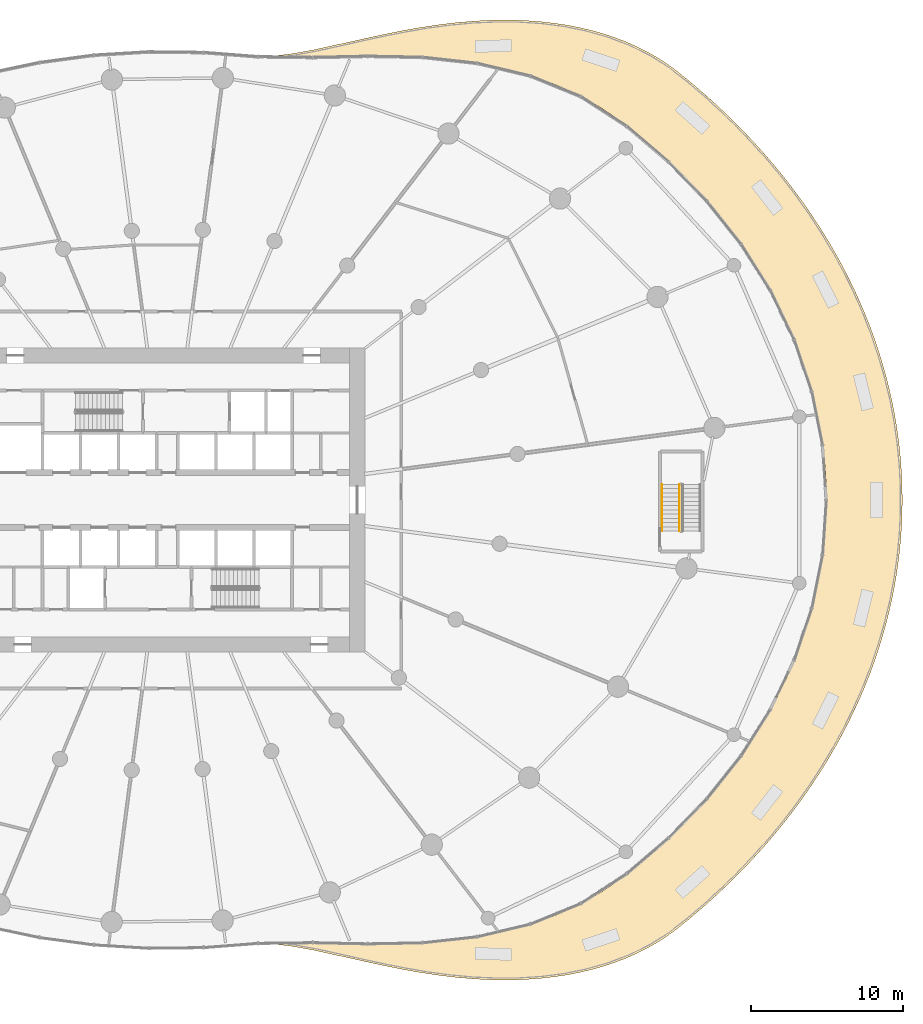
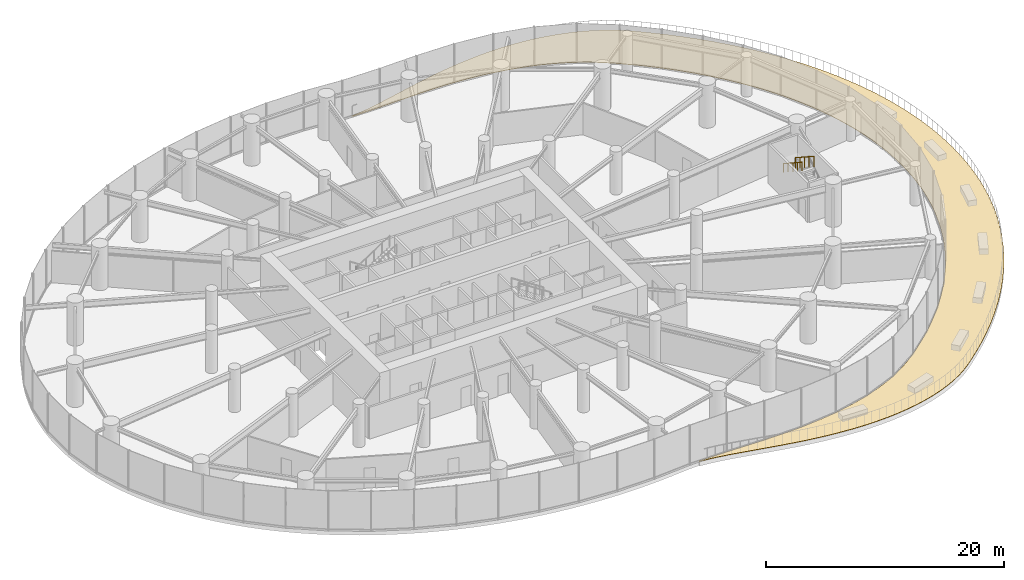
# One storey, part 17 of 19: 2 railings, 1 covering.
"""IFC4 building model written with IfcOpenShell, lengths in metres."""

from ifc_helpers import new_model, si_unit, direction, frame, origin, origin_2d, place, context, subcontext, project, spatial, line, indexed_curve, circle, outline, extrude, material, layer, layer_set, type_object, element, save


model = new_model("IFC4")

# Units and contexts
model_context = context("Model", 3, precision=1e-05, world=origin(), true_north=direction((0.0, 1.0)))
body_context = subcontext(model_context, "Body", "Model", "MODEL_VIEW")
ifc_project = project(units=[si_unit("LENGTHUNIT", "METRE"), si_unit("AREAUNIT", "SQUARE_METRE"), si_unit("VOLUMEUNIT", "CUBIC_METRE"), si_unit("PLANEANGLEUNIT", "RADIAN"), si_unit("MASSUNIT", "GRAM", prefix="KILO")], contexts=[model_context])

# Site, building, storey
site_placement = place(None, origin())
site = spatial("IfcSite", under=ifc_project, at=site_placement, CompositionType="ELEMENT")
building_placement = place(site_placement, origin())
building = spatial("IfcBuilding", under=site, at=building_placement, Name="Spindrift Exchange Tower", CompositionType="ELEMENT")
storey_placement = place(building_placement, frame((0.0, 0.0, 13.800048828125)))
storey = spatial("IfcBuildingStorey", under=building, at=storey_placement, Name="L03", CompositionType="ELEMENT", Elevation=13.800048828125)

# Railings
ifc_material_1 = material(Name="Steel balustrade", Category="steel")
railing_type_1 = type_object("IfcRailingType", Name="RL-STAIR-GUARD", PredefinedType="GUARDRAIL", material=ifc_material_1)
railing_1_placement = place(storey_placement, frame((85.699951171875, 49.030029296875, 2.38330078125)))
element("IfcRailing", 1, at=railing_1_placement, inside=storey, type_object=railing_type_1, Name="L03 ST5 stair guard 3", PredefinedType="GUARDRAIL", context=body_context, shape_type="SweptSolid", body=[
    extrude(circle(Radius=0.02392578125, at=origin_2d()), frame((0.0, 0.0, 1.076171875), z_axis=(0.0, -0.836633000464, 0.547763838287), x_axis=(1.0, 0.0, 0.0)), (0.0, 0.0, 1.0), 3.681396484375),
    extrude(circle(Radius=0.02099609375, at=origin_2d()), origin(), (0.0, 0.0, 1.0), 1.052001953125),
    extrude(circle(Radius=0.02099609375, at=origin_2d()), frame((0.0, -0.77001953125, 0.504150390625)), (0.0, 0.0, 1.0), 1.052001953125),
    extrude(circle(Radius=0.02099609375, at=origin_2d()), frame((0.0, -1.5400390625, 1.00830078125)), (0.0, 0.0, 1.0), 1.052001953125),
    extrude(circle(Radius=0.02099609375, at=origin_2d()), frame((0.0, -2.31005859375, 1.512451171875)), (0.0, 0.0, 1.0), 1.052001953125),
    extrude(circle(Radius=0.02099609375, at=origin_2d()), frame((0.0, -3.080078125, 2.0166015625)), (0.0, 0.0, 1.0), 1.052001953125),
])
ifc_material_2 = material(Name="Steel tubular handrail", Category="steel")
railing_type_2 = type_object("IfcRailingType", Name="RL-STAIR-HAND", PredefinedType="HANDRAIL", material=ifc_material_2)
railing_2_placement = place(storey_placement, frame((84.550048828125, 49.030029296875, 2.38330078125)))
element("IfcRailing", 2, at=railing_2_placement, inside=storey, type_object=railing_type_2, Name="L03 ST5 stair handrail 2", PredefinedType="HANDRAIL", context=body_context, shape_type="SweptSolid", body=[
    extrude(circle(Radius=0.02392578125, at=origin_2d()), frame((0.0, 0.0, 0.8759765625), z_axis=(0.0, -0.836633000464, 0.547763838287), x_axis=(1.0, 0.0, 0.0)), (0.0, 0.0, 1.0), 3.681396484375),
    extrude(circle(Radius=0.02099609375, at=origin_2d()), origin(), (0.0, 0.0, 1.0), 0.851806640625),
    extrude(circle(Radius=0.02099609375, at=origin_2d()), frame((0.0, -0.77001953125, 0.504150390625)), (0.0, 0.0, 1.0), 0.851806640625),
    extrude(circle(Radius=0.02099609375, at=origin_2d()), frame((0.0, -1.5400390625, 1.00830078125)), (0.0, 0.0, 1.0), 0.851806640625),
    extrude(circle(Radius=0.02099609375, at=origin_2d()), frame((0.0, -2.31005859375, 1.512451171875)), (0.0, 0.0, 1.0), 0.851806640625),
    extrude(circle(Radius=0.02099609375, at=origin_2d()), frame((0.0, -3.080078125, 2.0166015625)), (0.0, 0.0, 1.0), 0.851806640625),
])

# Covering
ifc_material_3 = material(Name="Hardwood timber decking on pedestals", Category="wood")
ifc_layer = layer(ifc_material_3, 0.0400390625)
ifc_layer_set = layer_set([ifc_layer], Name="TERRACE DECKING 40")
covering_type = type_object("IfcCoveringType", Name="TERRACE DECKING 40", PredefinedType="FLOORING", material=ifc_layer_set)
covering_placement = place(storey_placement, origin())
element("IfcCovering", 3, at=covering_placement, inside=storey, type_object=covering_type, Name="L03 Terrace Decking 1", PredefinedType="FLOORING", context=body_context, shape_type="SweptSolid", body=[
    extrude(outline(indexed_curve([(58.943359375, 77.1171875), (58.912109375, 77.12890625), (58.8955078125, 77.1630859375), (58.9072265625, 77.19921875), (58.9365234375, 77.2158203125), (59.8525390625, 77.3076171875), (60.427734375, 77.3916015625), (61.6201171875, 77.6083984375), (66.28515625, 78.634765625), (67.7568359375, 78.92578125), (68.513671875, 79.0595703125), (70.0654296875, 79.291015625), (70.8583984375, 79.384765625), (72.46875, 79.5205078125), (73.2861328125, 79.5576171875), (74.107421875, 79.572265625), (74.9306640625, 79.5615234375), (75.7578125, 79.5263671875), (76.5810546875, 79.462890625), (77.40234375, 79.37109375), (78.2216796875, 79.2490234375), (79.0302734375, 79.095703125), (79.830078125, 78.91015625), (80.6201171875, 78.6904296875), (81.392578125, 78.4384765625), (82.1484375, 78.150390625), (82.884765625, 77.8271484375), (83.5986328125, 77.4677734375), (84.2861328125, 77.0732421875), (84.9462890625, 76.6416015625), (85.576171875, 76.1728515625), (86.7861328125, 75.177734375), (87.9697265625, 74.1337890625), (88.5517578125, 73.59375), (89.6904296875, 72.4765625), (90.794921875, 71.3095703125), (91.8603515625, 70.09375), (92.8828125, 68.830078125), (93.8583984375, 67.5185546875), (94.7822265625, 66.1591796875), (95.650390625, 64.7568359375), (96.458984375, 63.3076171875), (97.201171875, 61.8203125), (97.875, 60.29296875), (98.1845703125, 59.515625), (98.4755859375, 58.728515625), (98.74609375, 57.935546875), (98.998046875, 57.134765625), (99.228515625, 56.328125), (99.4384765625, 55.5146484375), (99.6279296875, 54.6943359375), (99.7958984375, 53.8681640625), (99.9423828125, 53.0380859375), (100.06640625, 52.205078125), (100.16796875, 51.3671875), (100.2470703125, 50.529296875), (100.3046875, 49.6865234375), (100.3388671875, 48.8427734375), (100.349609375, 48.0009765625), (100.3388671875, 47.1572265625), (100.3046875, 46.3134765625), (100.2470703125, 45.470703125), (100.16796875, 44.6328125), (100.06640625, 43.794921875), (99.9423828125, 42.9619140625), (99.7958984375, 42.1318359375), (99.6279296875, 41.3056640625), (99.4384765625, 40.4853515625), (99.228515625, 39.671875), (98.998046875, 38.865234375), (98.74609375, 38.064453125), (98.4755859375, 37.271484375), (98.1845703125, 36.484375), (97.875, 35.7080078125), (97.546875, 34.9404296875), (96.8388671875, 33.431640625), (96.0625, 31.962890625), (95.2236328125, 30.537109375), (94.3271484375, 29.1552734375), (93.376953125, 27.8203125), (92.376953125, 26.5322265625), (91.33203125, 25.2919921875), (90.2470703125, 24.1005859375), (89.125, 22.958984375), (87.9697265625, 21.8662109375), (87.380859375, 21.337890625), (86.18359375, 20.318359375), (85.576171875, 19.8271484375), (84.9482421875, 19.3603515625), (84.2861328125, 18.9267578125), (83.5986328125, 18.5322265625), (82.884765625, 18.1728515625), (82.1484375, 17.849609375), (81.392578125, 17.5615234375), (80.6181640625, 17.30859375), (79.830078125, 17.08984375), (79.0302734375, 16.904296875), (78.2197265625, 16.7509765625), (77.40234375, 16.62890625), (76.5810546875, 16.537109375), (75.7578125, 16.4736328125), (74.9306640625, 16.4384765625), (74.107421875, 16.427734375), (73.28515625, 16.4423828125), (72.46875, 16.4794921875), (70.8583984375, 16.615234375), (70.0654296875, 16.708984375), (68.5146484375, 16.9404296875), (67.7568359375, 17.07421875), (66.28515625, 17.365234375), (61.6201171875, 18.3916015625), (60.427734375, 18.6083984375), (59.8525390625, 18.6923828125), (58.9365234375, 18.7841796875), (58.9072265625, 18.80078125), (58.8955078125, 18.8369140625), (58.9091796875, 18.8671875), (58.943359375, 18.8828125), (60.3447265625, 18.900390625), (64.388671875, 18.814453125), (66.2431640625, 18.7978515625), (68.1630859375, 18.8408203125), (69.474609375, 18.91796875), (70.8037109375, 19.044921875), (71.4736328125, 19.12890625), (72.8203125, 19.34375), (74.16796875, 19.6259765625), (74.83984375, 19.794921875), (75.509765625, 19.9833984375), (76.1748046875, 20.19140625), (76.833984375, 20.419921875), (77.486328125, 20.669921875), (78.130859375, 20.9404296875), (78.7666015625, 21.234375), (79.390625, 21.5498046875), (80.001953125, 21.888671875), (80.599609375, 22.2490234375), (81.181640625, 22.6337890625), (81.7451171875, 23.041015625), (82.845703125, 23.900390625), (83.9248046875, 24.8046875), (84.4560546875, 25.2744140625), (85.4970703125, 26.2470703125), (86.0068359375, 26.7509765625), (87.001953125, 27.791015625), (87.486328125, 28.330078125), (88.4267578125, 29.439453125), (88.8828125, 30.01171875), (89.7587890625, 31.1884765625), (90.1796875, 31.7939453125), (90.982421875, 33.0361328125), (91.36328125, 33.6728515625), (92.0830078125, 34.9765625), (92.740234375, 36.3173828125), (93.0458984375, 37.001953125), (93.603515625, 38.39453125), (93.85546875, 39.1025390625), (94.3046875, 40.5400390625), (94.5, 41.2685546875), (94.6767578125, 42.0029296875), (94.8330078125, 42.7412109375), (94.9697265625, 43.484375), (95.0849609375, 44.23046875), (95.1806640625, 44.98046875), (95.2548828125, 45.7333984375), (95.3076171875, 46.48828125), (95.33984375, 47.244140625), (95.349609375, 48.0), (95.33984375, 48.755859375), (95.3076171875, 49.51171875), (95.2548828125, 50.267578125), (95.1806640625, 51.01953125), (95.0849609375, 51.76953125), (94.9697265625, 52.5166015625), (94.8330078125, 53.259765625), (94.6767578125, 53.998046875), (94.5, 54.7314453125), (94.08984375, 56.1806640625), (93.85546875, 56.8974609375), (93.3330078125, 58.3056640625), (93.044921875, 58.998046875), (92.419921875, 60.357421875), (91.73046875, 61.6796875), (90.982421875, 62.9638671875), (90.587890625, 63.5908203125), (89.7587890625, 64.8115234375), (88.8828125, 65.98828125), (87.9619140625, 67.12109375), (87.001953125, 68.2080078125), (86.0068359375, 69.2490234375), (84.98046875, 70.2451171875), (83.9248046875, 71.1953125), (83.388671875, 71.6533203125), (82.2978515625, 72.53515625), (81.7451171875, 72.958984375), (81.181640625, 73.3662109375), (80.5986328125, 73.7509765625), (80.0009765625, 74.1123046875), (79.390625, 74.4501953125), (78.765625, 74.7666015625), (78.130859375, 75.0595703125), (77.486328125, 75.330078125), (76.8330078125, 75.580078125), (76.1748046875, 75.80859375), (75.509765625, 76.0166015625), (74.83984375, 76.205078125), (73.4951171875, 76.5244140625), (72.8203125, 76.65625), (71.4736328125, 76.87109375), (70.8037109375, 76.955078125), (69.4736328125, 77.08203125), (68.1630859375, 77.1591796875), (66.8759765625, 77.1953125), (64.9990234375, 77.1953125), (60.8984375, 77.1044921875), (59.7978515625, 77.1005859375)], segments=[line(1, 2, 3, 4, 5, 6, 7, 8, 9, 10, 11, 12, 13, 14, 15, 16, 17, 18, 19, 20, 21, 22, 23, 24, 25, 26, 27, 28, 29, 30, 31, 32, 33, 34, 35, 36, 37, 38, 39, 40, 41, 42, 43, 44, 45, 46, 47, 48, 49, 50, 51, 52, 53, 54, 55, 56, 57, 58, 59, 60, 61, 62, 63, 64, 65, 66, 67, 68, 69, 70, 71, 72, 73, 74, 75, 76, 77, 78, 79, 80, 81, 82, 83, 84, 85, 86, 87, 88, 89, 90, 91, 92, 93, 94, 95, 96, 97, 98, 99, 100, 101, 102, 103, 104, 105, 106, 107, 108, 109, 110, 111, 112, 113, 114, 115, 116, 117, 118, 119, 120, 121, 122, 123, 124, 125, 126, 127, 128, 129, 130, 131, 132, 133, 134, 135, 136, 137, 138, 139, 140, 141, 142, 143, 144, 145, 146, 147, 148, 149, 150, 151, 152, 153, 154, 155, 156, 157, 158, 159, 160, 161, 162, 163, 164, 165, 166, 167, 168, 169, 170, 171, 172, 173, 174, 175, 176, 177, 178, 179, 180, 181, 182, 183, 184, 185, 186, 187, 188, 189, 190, 191, 192, 193, 194, 195, 196, 197, 198, 199, 200, 201, 202, 203, 204, 205, 206, 207, 208, 209, 210, 211, 212, 213, 214, 215, 216, 1)], self_intersect=False)), origin(), (0.0, 0.0, 1.0), 0.0400390625),
])

save(model, "model.ifc")
